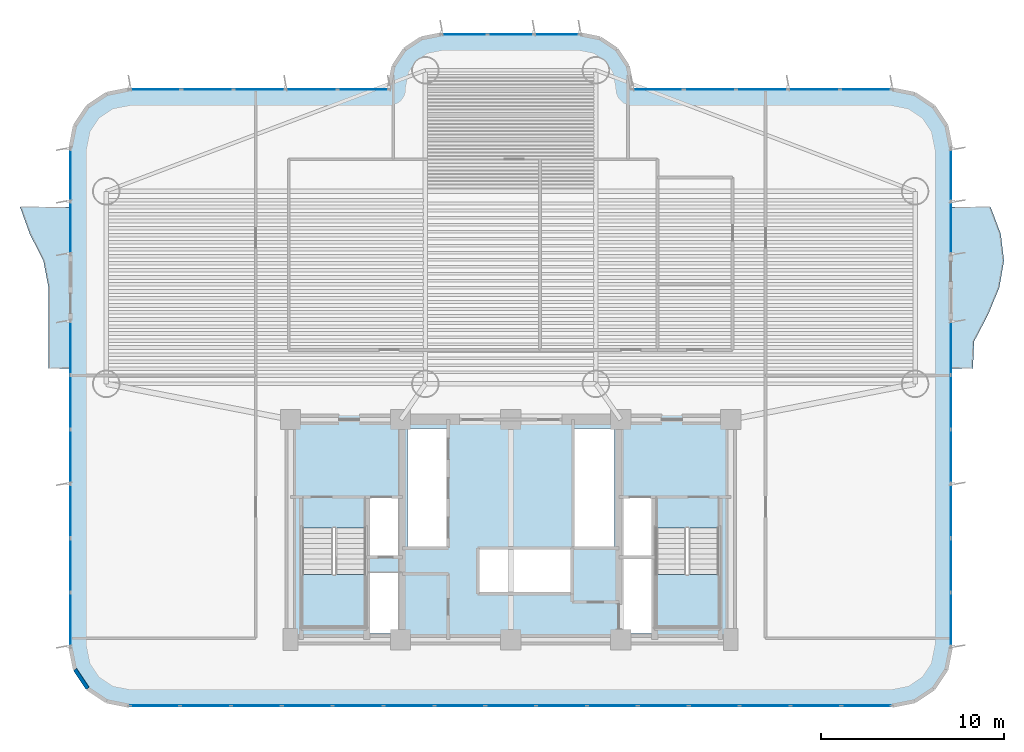
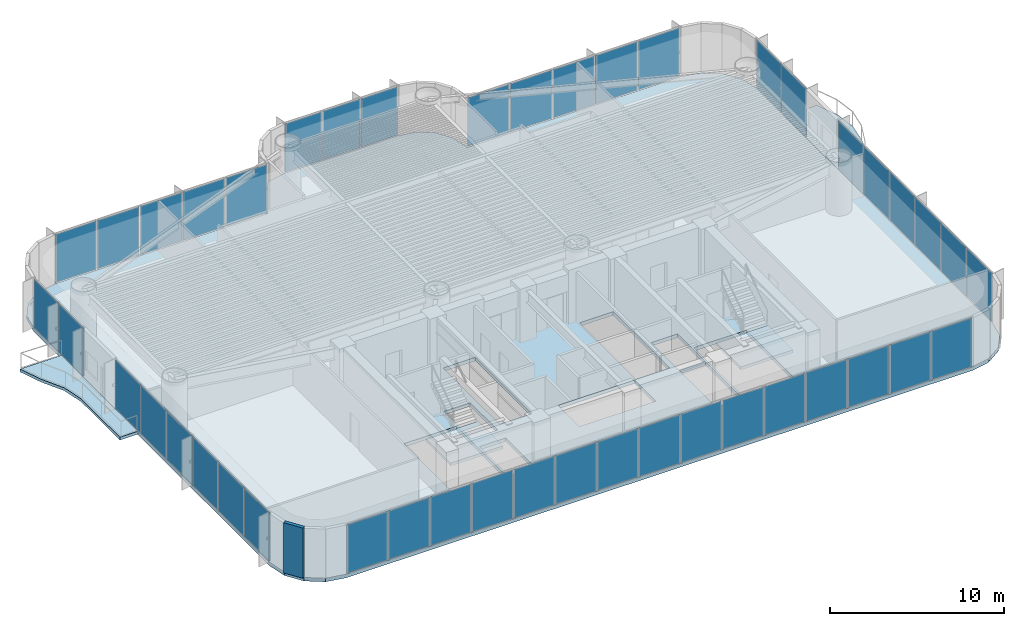
# One storey, part 9 of 16: 44 plates, 5 slabs, 1 wall, 10 elements without a shape of their own.
"""IFC4 building model written with IfcOpenShell, lengths in metres."""

from ifc_helpers import new_model, si_unit, direction, frame, frame_2d, origin, origin_2d, place, context, subcontext, project, spatial, polyline, rectangle, outline, extrude, source, transform, mapped, material, layer, layer_set, type_object, element, aggregate, save


model = new_model("IFC4")

# Units and contexts
model_context = context("Model", 3, precision=1e-05, world=origin(), true_north=direction((0.0, 1.0)))
body_context = subcontext(model_context, "Body", "Model", "MODEL_VIEW")
ifc_project = project(units=[si_unit("LENGTHUNIT", "METRE"), si_unit("AREAUNIT", "SQUARE_METRE"), si_unit("VOLUMEUNIT", "CUBIC_METRE"), si_unit("PLANEANGLEUNIT", "RADIAN"), si_unit("MASSUNIT", "GRAM", prefix="KILO")], contexts=[model_context])

# Site, building, storey
site_placement = place(None, origin())
site = spatial("IfcSite", under=ifc_project, at=site_placement, CompositionType="ELEMENT")
building_placement = place(site_placement, origin())
building = spatial("IfcBuilding", under=site, at=building_placement, Name="Brelvock Crest Care Tower", CompositionType="ELEMENT")
storey_placement = place(building_placement, frame((0.0, 0.0, 57.239990234375)))
storey = spatial("IfcBuildingStorey", under=building, at=storey_placement, Name="L14", CompositionType="ELEMENT", Elevation=57.239990234375)

# Slabs
ifc_material_1 = material(Name="Concrete N50 (50 MPa)", Category="concrete")
ifc_layer_1 = layer(ifc_material_1, 0.25, Name="SLB-FL3")
ifc_layer_set_1 = layer_set([ifc_layer_1], Name="Concrete N50 (50 MPa)")
slab_type_1 = type_object("IfcSlabType", Name="SLB-FL3", PredefinedType="FLOOR", material=ifc_layer_set_1)
slab_1_placement = place(storey_placement, frame((0.0, 0.0, -0.25)))
element("IfcSlab", 1, at=slab_1_placement, inside=storey, type_object=slab_type_1, Name="L14 Main Structural Slab", PredefinedType="FLOOR", context=body_context, shape_type="SweptSolid", body=[
    extrude(outline(polyline([(56.800048828125, 36.0), (42.60009765625, 36.0), (42.60009765625, 36.199951171875), (42.386962890625, 37.271484375), (41.77978515625, 38.179931640625), (40.87158203125, 38.786865234375), (39.800048828125, 39.0), (32.199951171875, 39.0), (31.12841796875, 38.786865234375), (30.22021484375, 38.179931640625), (29.613037109375, 37.271484375), (29.39990234375, 36.199951171875), (29.39990234375, 36.0), (15.199951171875, 36.0), (13.975341796875, 35.75634765625), (12.937255859375, 35.062744140625), (12.24365234375, 34.024658203125), (12.0, 32.800048828125), (12.0, 5.60009765625), (12.24365234375, 4.37548828125), (12.937255859375, 3.33740234375), (13.975341796875, 2.6435546875), (15.199951171875, 2.39990234375), (56.800048828125, 2.39990234375), (58.024658203125, 2.6435546875), (59.062744140625, 3.33740234375), (59.75634765625, 4.37548828125), (60.0, 5.60009765625), (60.0, 32.800048828125), (59.75634765625, 34.024658203125), (59.062744140625, 35.062744140625), (58.024658203125, 35.75634765625), (56.800048828125, 36.0)]), holes=[polyline([(28.239990234375, 10.580078125), (29.97998046875, 10.580078125), (29.97998046875, 13.739990234375), (28.239990234375, 13.739990234375), (28.239990234375, 10.580078125)]), polyline([(42.02001953125, 10.580078125), (43.760009765625, 10.580078125), (43.760009765625, 13.739990234375), (42.02001953125, 13.739990234375), (42.02001953125, 10.580078125)]), polyline([(28.239990234375, 6.340087890625), (29.97998046875, 6.340087890625), (29.97998046875, 9.64990234375), (28.239990234375, 9.64990234375), (28.239990234375, 6.340087890625)]), polyline([(24.6298828125, 12.080078125), (24.6298828125, 6.699951171875), (28.110107421875, 6.699951171875), (28.110107421875, 12.080078125), (24.6298828125, 12.080078125)]), polyline([(43.889892578125, 12.080078125), (43.889892578125, 6.699951171875), (47.3701171875, 6.699951171875), (47.3701171875, 12.080078125), (43.889892578125, 12.080078125)]), polyline([(42.02001953125, 6.340087890625), (43.760009765625, 6.340087890625), (43.760009765625, 10.5), (42.02001953125, 10.5), (42.02001953125, 6.340087890625)]), polyline([(30.3798828125, 11.030029296875), (32.52001953125, 11.030029296875), (32.52001953125, 17.52001953125), (30.3798828125, 17.52001953125), (30.3798828125, 11.030029296875)]), polyline([(34.22998046875, 8.530029296875), (39.320068359375, 8.530029296875), (39.320068359375, 10.969970703125), (34.22998046875, 10.969970703125), (34.22998046875, 8.530029296875)]), polyline([(39.429931640625, 11.030029296875), (41.669921875, 11.030029296875), (41.669921875, 17.52001953125), (39.429931640625, 17.52001953125), (39.429931640625, 11.030029296875)])]), origin(), (0.0, 0.0, 1.0), 0.25),
])
ifc_layer_2 = layer(ifc_material_1, 0.199951171875, Name="SLB-WB2")
ifc_layer_set_2 = layer_set([ifc_layer_2], Name="Concrete N50 (50 MPa)")
slab_type_2 = type_object("IfcSlabType", Name="SLB-WB2", PredefinedType="FLOOR", material=ifc_layer_set_2)
slab_2_placement = place(storey_placement, frame((0.0, 0.0, -0.199951171875)))
element("IfcSlab", 2, at=slab_2_placement, inside=storey, type_object=slab_type_2, Name="L14 W Sinusoidal Wave Balcony Slab", PredefinedType="FLOOR", context=body_context, shape_type="SweptSolid", body=[
    extrude(outline(polyline([(12.0, 29.60009765625), (9.2470703125, 29.60009765625), (9.77490234375, 28.13330078125), (10.520751953125, 26.666748046875), (10.800048828125, 25.199951171875), (10.800048828125, 23.7333984375), (10.800048828125, 22.2666015625), (10.800048828125, 20.800048828125), (12.0, 20.800048828125), (12.0, 29.60009765625)])), origin(), (0.0, 0.0, 1.0), 0.199951171875),
])
slab_3_placement = place(storey_placement, frame((0.0, 0.0, -0.199951171875)))
element("IfcSlab", 3, at=slab_3_placement, inside=storey, type_object=slab_type_2, Name="L14 E Sinusoidal Wave Balcony Slab", PredefinedType="FLOOR", context=body_context, shape_type="SweptSolid", body=[
    extrude(outline(polyline([(60.0, 20.800048828125), (61.199951171875, 20.800048828125), (61.269287109375, 22.2666015625), (62.03369140625, 23.7333984375), (62.64208984375, 25.199951171875), (62.898193359375, 26.666748046875), (62.718994140625, 28.13330078125), (62.162841796875, 29.60009765625), (60.0, 29.60009765625), (60.0, 20.800048828125)])), origin(), (0.0, 0.0, 1.0), 0.199951171875),
])

# Stair, slab
ifc_material_2 = material(Name="Concrete N40 (40 MPa)", Category="concrete")
stair_type = type_object("IfcStairType", Name="ST-CORE1", PredefinedType="HALF_TURN_STAIR", material=ifc_material_2)
stair_1_placement = place(storey_placement, origin())
stair_1 = element("IfcStair", 4, at=stair_1_placement, inside=storey, type_object=stair_type, Name="L14 Fire-Isolated Core Stair ST-1", PredefinedType="HALF_TURN_STAIR")
ifc_layer_3 = layer(ifc_material_2, 0.199951171875, Name="STL-1")
ifc_layer_set_3 = layer_set([ifc_layer_3], Name="Concrete N40 (40 MPa)")
slab_type_3 = type_object("IfcSlabType", Name="STL-1", PredefinedType="LANDING", material=ifc_layer_set_3)
slab_4_placement = place(storey_placement, frame((0.0, 0.0, 1.68994140625)))
slab_4 = element("IfcSlab", 5, at=slab_4_placement, type_object=slab_type_3, Name="ST-1 landing 1", PredefinedType="LANDING", context=body_context, shape_type="SweptSolid", body=[
    extrude(outline(polyline([(24.6298828125, 9.56005859375), (24.6298828125, 6.699951171875), (28.110107421875, 6.699951171875), (28.110107421875, 9.56005859375), (24.6298828125, 9.56005859375)])), origin(), (0.0, 0.0, 1.0), 0.199951171875),
])
aggregate(stair_1, [slab_4])

stair_2_placement = place(storey_placement, origin())
stair_2 = element("IfcStair", 6, at=stair_2_placement, inside=storey, type_object=stair_type, Name="L14 Fire-Isolated Core Stair ST-2", PredefinedType="HALF_TURN_STAIR")
slab_5_placement = place(storey_placement, frame((0.0, 0.0, 1.68994140625)))
slab_5 = element("IfcSlab", 7, at=slab_5_placement, type_object=slab_type_3, Name="ST-2 landing 1", PredefinedType="LANDING", context=body_context, shape_type="SweptSolid", body=[
    extrude(outline(polyline([(43.889892578125, 9.56005859375), (43.889892578125, 6.699951171875), (47.3701171875, 6.699951171875), (47.3701171875, 9.56005859375), (43.889892578125, 9.56005859375)])), origin(), (0.0, 0.0, 1.0), 0.199951171875),
])
aggregate(stair_2, [slab_5])

# Curtain wall, plates
ifc_material_3 = material(Name="Dark Glass Double Glazed Low-E", Category="glass")
ifc_layer_4 = layer(ifc_material_3, 0.195068359375, Name="CWS-2")
ifc_layer_set_4 = layer_set([ifc_layer_4], Name="Dark Glass Double Glazed Low-E")
curtain_wall_type = type_object("IfcCurtainWallType", Name="CWS-2", PredefinedType="NOTDEFINED", material=ifc_layer_set_4)
curtain_wall_1_placement = place(storey_placement, origin())
curtain_wall_1 = element("IfcCurtainWall", 8, at=curtain_wall_1_placement, inside=storey, type_object=curtain_wall_type, Name="L14 Curtain Wall E08", PredefinedType="NOTDEFINED")
ifc_layer_5 = layer(ifc_material_3, 0.031982421875, Name="CWP-V1")
ifc_layer_set_5 = layer_set([ifc_layer_5], Name="Dark Glass Double Glazed Low-E")
plate_type = type_object("IfcPlateType", Name="CWP-V1", PredefinedType="CURTAIN_PANEL", material=ifc_layer_set_5)
shared_shape_1 = source(origin(), body_context, "Body", "SweptSolid", [
    extrude(rectangle(XDim=2.67578125, YDim=0.035888671875, at=origin_2d()), origin(), (0.0, 0.0, 1.0), 3.39990234375),
])
plate_1_placement = place(storey_placement, frame((55.39697265625, 2.39990234375, 0.06494140625), z_axis=(0.0, 0.0, 1.0), x_axis=(-1.0, 0.0, 0.0)))
plate_1 = element("IfcPlate", 9, at=plate_1_placement, type_object=plate_type, Name="CW-2 panel 1.1", PredefinedType="CURTAIN_PANEL", context=body_context, shape_type="MappedRepresentation", body=[
    mapped(shared_shape_1, transform((0.0, 0.0, 0.0), x_axis=(1.0, 0.0, 0.0), y_axis=(0.0, 1.0, 0.0), z_axis=(0.0, 0.0, 1.0), scale=1.0)),
])
plate_2_placement = place(storey_placement, frame((16.60302734375, 2.39990234375, 0.06494140625), z_axis=(0.0, 0.0, 1.0), x_axis=(-1.0, 0.0, 0.0)))
plate_2 = element("IfcPlate", 10, at=plate_2_placement, type_object=plate_type, Name="CW-2 panel 15.1", PredefinedType="CURTAIN_PANEL", context=body_context, shape_type="MappedRepresentation", body=[
    mapped(shared_shape_1, transform((0.0, 0.0, 0.0), x_axis=(1.0, 0.0, 0.0), y_axis=(0.0, 1.0, 0.0), z_axis=(0.0, 0.0, 1.0), scale=1.0)),
])
shared_shape_2 = source(origin(), body_context, "Body", "SweptSolid", [
    extrude(rectangle(XDim=2.708251953125, YDim=0.035888671875, at=origin_2d()), origin(), (0.0, 0.0, 1.0), 3.39990234375),
])
plate_3_placement = place(storey_placement, frame((52.639892578125, 2.39990234375, 0.06494140625), z_axis=(0.0, 0.0, 1.0), x_axis=(-1.0, 0.0, 0.0)))
plate_3 = element("IfcPlate", 11, at=plate_3_placement, type_object=plate_type, Name="CW-2 panel 2.1", PredefinedType="CURTAIN_PANEL", context=body_context, shape_type="MappedRepresentation", body=[
    mapped(shared_shape_2, transform((0.0, 0.0, 0.0), x_axis=(1.0, 0.0, 0.0), y_axis=(0.0, 1.0, 0.0), z_axis=(0.0, 0.0, 1.0), scale=1.0)),
])
plate_4_placement = place(storey_placement, frame((49.86669921875, 2.39990234375, 0.06494140625), z_axis=(0.0, 0.0, 1.0), x_axis=(-1.0, 0.0, 0.0)))
plate_4 = element("IfcPlate", 12, at=plate_4_placement, type_object=plate_type, Name="CW-2 panel 3.1", PredefinedType="CURTAIN_PANEL", context=body_context, shape_type="MappedRepresentation", body=[
    mapped(shared_shape_2, transform((0.0, 0.0, 0.0), x_axis=(1.0, 0.0, 0.0), y_axis=(0.0, 1.0, 0.0), z_axis=(0.0, 0.0, 1.0), scale=1.0)),
])
plate_5_placement = place(storey_placement, frame((47.09326171875, 2.39990234375, 0.06494140625), z_axis=(0.0, 0.0, 1.0), x_axis=(-1.0, 0.0, 0.0)))
plate_5 = element("IfcPlate", 13, at=plate_5_placement, type_object=plate_type, Name="CW-2 panel 4.1", PredefinedType="CURTAIN_PANEL", context=body_context, shape_type="MappedRepresentation", body=[
    mapped(shared_shape_2, transform((0.0, 0.0, 0.0), x_axis=(1.0, 0.0, 0.0), y_axis=(0.0, 1.0, 0.0), z_axis=(0.0, 0.0, 1.0), scale=1.0)),
])
plate_6_placement = place(storey_placement, frame((44.320068359375, 2.39990234375, 0.06494140625), z_axis=(0.0, 0.0, 1.0), x_axis=(-1.0, 0.0, 0.0)))
plate_6 = element("IfcPlate", 14, at=plate_6_placement, type_object=plate_type, Name="CW-2 panel 5.1", PredefinedType="CURTAIN_PANEL", context=body_context, shape_type="MappedRepresentation", body=[
    mapped(shared_shape_2, transform((0.0, 0.0, 0.0), x_axis=(1.0, 0.0, 0.0), y_axis=(0.0, 1.0, 0.0), z_axis=(0.0, 0.0, 1.0), scale=1.0)),
])
plate_7_placement = place(storey_placement, frame((41.546630859375, 2.39990234375, 0.06494140625), z_axis=(0.0, 0.0, 1.0), x_axis=(-1.0, 0.0, 0.0)))
plate_7 = element("IfcPlate", 15, at=plate_7_placement, type_object=plate_type, Name="CW-2 panel 6.1", PredefinedType="CURTAIN_PANEL", context=body_context, shape_type="MappedRepresentation", body=[
    mapped(shared_shape_2, transform((0.0, 0.0, 0.0), x_axis=(1.0, 0.0, 0.0), y_axis=(0.0, 1.0, 0.0), z_axis=(0.0, 0.0, 1.0), scale=1.0)),
])
plate_8_placement = place(storey_placement, frame((38.7734375, 2.39990234375, 0.06494140625), z_axis=(0.0, 0.0, 1.0), x_axis=(-1.0, 0.0, 0.0)))
plate_8 = element("IfcPlate", 16, at=plate_8_placement, type_object=plate_type, Name="CW-2 panel 7.1", PredefinedType="CURTAIN_PANEL", context=body_context, shape_type="MappedRepresentation", body=[
    mapped(shared_shape_2, transform((0.0, 0.0, 0.0), x_axis=(1.0, 0.0, 0.0), y_axis=(0.0, 1.0, 0.0), z_axis=(0.0, 0.0, 1.0), scale=1.0)),
])
plate_9_placement = place(storey_placement, frame((36.0, 2.39990234375, 0.06494140625), z_axis=(0.0, 0.0, 1.0), x_axis=(-1.0, 0.0, 0.0)))
plate_9 = element("IfcPlate", 17, at=plate_9_placement, type_object=plate_type, Name="CW-2 panel 8.1", PredefinedType="CURTAIN_PANEL", context=body_context, shape_type="MappedRepresentation", body=[
    mapped(shared_shape_2, transform((0.0, 0.0, 0.0), x_axis=(1.0, 0.0, 0.0), y_axis=(0.0, 1.0, 0.0), z_axis=(0.0, 0.0, 1.0), scale=1.0)),
])
plate_10_placement = place(storey_placement, frame((33.2265625, 2.39990234375, 0.06494140625), z_axis=(0.0, 0.0, 1.0), x_axis=(-1.0, 0.0, 0.0)))
plate_10 = element("IfcPlate", 18, at=plate_10_placement, type_object=plate_type, Name="CW-2 panel 9.1", PredefinedType="CURTAIN_PANEL", context=body_context, shape_type="MappedRepresentation", body=[
    mapped(shared_shape_2, transform((0.0, 0.0, 0.0), x_axis=(1.0, 0.0, 0.0), y_axis=(0.0, 1.0, 0.0), z_axis=(0.0, 0.0, 1.0), scale=1.0)),
])
plate_11_placement = place(storey_placement, frame((30.453369140625, 2.39990234375, 0.06494140625), z_axis=(0.0, 0.0, 1.0), x_axis=(-1.0, 0.0, 0.0)))
plate_11 = element("IfcPlate", 19, at=plate_11_placement, type_object=plate_type, Name="CW-2 panel 10.1", PredefinedType="CURTAIN_PANEL", context=body_context, shape_type="MappedRepresentation", body=[
    mapped(shared_shape_2, transform((0.0, 0.0, 0.0), x_axis=(1.0, 0.0, 0.0), y_axis=(0.0, 1.0, 0.0), z_axis=(0.0, 0.0, 1.0), scale=1.0)),
])
plate_12_placement = place(storey_placement, frame((27.679931640625, 2.39990234375, 0.06494140625), z_axis=(0.0, 0.0, 1.0), x_axis=(-1.0, 0.0, 0.0)))
plate_12 = element("IfcPlate", 20, at=plate_12_placement, type_object=plate_type, Name="CW-2 panel 11.1", PredefinedType="CURTAIN_PANEL", context=body_context, shape_type="MappedRepresentation", body=[
    mapped(shared_shape_2, transform((0.0, 0.0, 0.0), x_axis=(1.0, 0.0, 0.0), y_axis=(0.0, 1.0, 0.0), z_axis=(0.0, 0.0, 1.0), scale=1.0)),
])
plate_13_placement = place(storey_placement, frame((24.90673828125, 2.39990234375, 0.06494140625), z_axis=(0.0, 0.0, 1.0), x_axis=(-1.0, 0.0, 0.0)))
plate_13 = element("IfcPlate", 21, at=plate_13_placement, type_object=plate_type, Name="CW-2 panel 12.1", PredefinedType="CURTAIN_PANEL", context=body_context, shape_type="MappedRepresentation", body=[
    mapped(shared_shape_2, transform((0.0, 0.0, 0.0), x_axis=(1.0, 0.0, 0.0), y_axis=(0.0, 1.0, 0.0), z_axis=(0.0, 0.0, 1.0), scale=1.0)),
])
plate_14_placement = place(storey_placement, frame((22.13330078125, 2.39990234375, 0.06494140625), z_axis=(0.0, 0.0, 1.0), x_axis=(-1.0, 0.0, 0.0)))
plate_14 = element("IfcPlate", 22, at=plate_14_placement, type_object=plate_type, Name="CW-2 panel 13.1", PredefinedType="CURTAIN_PANEL", context=body_context, shape_type="MappedRepresentation", body=[
    mapped(shared_shape_2, transform((0.0, 0.0, 0.0), x_axis=(1.0, 0.0, 0.0), y_axis=(0.0, 1.0, 0.0), z_axis=(0.0, 0.0, 1.0), scale=1.0)),
])
plate_15_placement = place(storey_placement, frame((19.360107421875, 2.39990234375, 0.06494140625), z_axis=(0.0, 0.0, 1.0), x_axis=(-1.0, 0.0, 0.0)))
plate_15 = element("IfcPlate", 23, at=plate_15_placement, type_object=plate_type, Name="CW-2 panel 14.1", PredefinedType="CURTAIN_PANEL", context=body_context, shape_type="MappedRepresentation", body=[
    mapped(shared_shape_2, transform((0.0, 0.0, 0.0), x_axis=(1.0, 0.0, 0.0), y_axis=(0.0, 1.0, 0.0), z_axis=(0.0, 0.0, 1.0), scale=1.0)),
])
aggregate(curtain_wall_1, [plate_1, plate_3, plate_4, plate_5, plate_6, plate_7, plate_8, plate_9, plate_10, plate_11, plate_12, plate_13, plate_14, plate_15, plate_2])

curtain_wall_2_placement = place(storey_placement, origin())
curtain_wall_2 = element("IfcCurtainWall", 24, at=curtain_wall_2_placement, inside=storey, type_object=curtain_wall_type, Name="L14 Curtain Wall E18", PredefinedType="NOTDEFINED")
shared_shape_3 = source(origin(), body_context, "Body", "SweptSolid", [
    extrude(rectangle(XDim=2.742431640625, YDim=0.035888671875, at=origin_2d()), origin(), (0.0, 0.0, 1.0), 3.39990234375),
])
plate_16_placement = place(storey_placement, frame((16.63623046875, 36.0, 0.06494140625), z_axis=(0.0, 0.0, 1.0), x_axis=(1.0, 0.0, 0.0)))
plate_16 = element("IfcPlate", 25, at=plate_16_placement, type_object=plate_type, Name="CW-2 panel 1.1", PredefinedType="CURTAIN_PANEL", context=body_context, shape_type="MappedRepresentation", body=[
    mapped(shared_shape_3, transform((0.0, 0.0, 0.0), x_axis=(1.0, 0.0, 0.0), y_axis=(0.0, 1.0, 0.0), z_axis=(0.0, 0.0, 1.0), scale=1.0)),
])
plate_17_placement = place(storey_placement, frame((27.9638671875, 36.0, 0.06494140625), z_axis=(0.0, 0.0, 1.0), x_axis=(1.0, 0.0, 0.0)))
plate_17 = element("IfcPlate", 26, at=plate_17_placement, type_object=plate_type, Name="CW-2 panel 5.1", PredefinedType="CURTAIN_PANEL", context=body_context, shape_type="MappedRepresentation", body=[
    mapped(shared_shape_3, transform((0.0, 0.0, 0.0), x_axis=(1.0, 0.0, 0.0), y_axis=(0.0, 1.0, 0.0), z_axis=(0.0, 0.0, 1.0), scale=1.0)),
])

curtain_wall_3_placement = place(storey_placement, origin())
curtain_wall_3 = element("IfcCurtainWall", 27, at=curtain_wall_3_placement, inside=storey, type_object=curtain_wall_type, Name="L14 Curtain Wall E30", PredefinedType="NOTDEFINED")
plate_18_placement = place(storey_placement, frame((44.0361328125, 36.0, 0.06494140625), z_axis=(0.0, 0.0, 1.0), x_axis=(1.0, 0.0, 0.0)))
plate_18 = element("IfcPlate", 28, at=plate_18_placement, type_object=plate_type, Name="CW-2 panel 1.1", PredefinedType="CURTAIN_PANEL", context=body_context, shape_type="MappedRepresentation", body=[
    mapped(shared_shape_3, transform((0.0, 0.0, 0.0), x_axis=(1.0, 0.0, 0.0), y_axis=(0.0, 1.0, 0.0), z_axis=(0.0, 0.0, 1.0), scale=1.0)),
])
plate_19_placement = place(storey_placement, frame((55.36376953125, 36.0, 0.06494140625), z_axis=(0.0, 0.0, 1.0), x_axis=(1.0, 0.0, 0.0)))
plate_19 = element("IfcPlate", 29, at=plate_19_placement, type_object=plate_type, Name="CW-2 panel 5.1", PredefinedType="CURTAIN_PANEL", context=body_context, shape_type="MappedRepresentation", body=[
    mapped(shared_shape_3, transform((0.0, 0.0, 0.0), x_axis=(1.0, 0.0, 0.0), y_axis=(0.0, 1.0, 0.0), z_axis=(0.0, 0.0, 1.0), scale=1.0)),
])

# Plate
shared_shape_4 = source(origin(), body_context, "Body", "SweptSolid", [
    extrude(rectangle(XDim=2.77490234375, YDim=0.035888671875, at=origin_2d()), origin(), (0.0, 0.0, 1.0), 3.39990234375),
])
plate_20_placement = place(storey_placement, frame((19.4599609375, 36.0, 0.06494140625), z_axis=(0.0, 0.0, 1.0), x_axis=(1.0, 0.0, 0.0)))
plate_20 = element("IfcPlate", 30, at=plate_20_placement, type_object=plate_type, Name="CW-2 panel 2.1", PredefinedType="CURTAIN_PANEL", context=body_context, shape_type="MappedRepresentation", body=[
    mapped(shared_shape_4, transform((0.0, 0.0, 0.0), x_axis=(1.0, 0.0, 0.0), y_axis=(0.0, 1.0, 0.0), z_axis=(0.0, 0.0, 1.0), scale=1.0)),
])

plate_21_placement = place(storey_placement, frame((22.300048828125, 36.0, 0.06494140625), z_axis=(0.0, 0.0, 1.0), x_axis=(1.0, 0.0, 0.0)))
plate_21 = element("IfcPlate", 31, at=plate_21_placement, type_object=plate_type, Name="CW-2 panel 3.1", PredefinedType="CURTAIN_PANEL", context=body_context, shape_type="MappedRepresentation", body=[
    mapped(shared_shape_4, transform((0.0, 0.0, 0.0), x_axis=(1.0, 0.0, 0.0), y_axis=(0.0, 1.0, 0.0), z_axis=(0.0, 0.0, 1.0), scale=1.0)),
])

plate_22_placement = place(storey_placement, frame((25.139892578125, 36.0, 0.06494140625), z_axis=(0.0, 0.0, 1.0), x_axis=(1.0, 0.0, 0.0)))
plate_22 = element("IfcPlate", 32, at=plate_22_placement, type_object=plate_type, Name="CW-2 panel 4.1", PredefinedType="CURTAIN_PANEL", context=body_context, shape_type="MappedRepresentation", body=[
    mapped(shared_shape_4, transform((0.0, 0.0, 0.0), x_axis=(1.0, 0.0, 0.0), y_axis=(0.0, 1.0, 0.0), z_axis=(0.0, 0.0, 1.0), scale=1.0)),
])

aggregate(curtain_wall_2, [plate_16, plate_20, plate_21, plate_22, plate_17])

plate_23_placement = place(storey_placement, frame((46.860107421875, 36.0, 0.06494140625), z_axis=(0.0, 0.0, 1.0), x_axis=(1.0, 0.0, 0.0)))
plate_23 = element("IfcPlate", 33, at=plate_23_placement, type_object=plate_type, Name="CW-2 panel 2.1", PredefinedType="CURTAIN_PANEL", context=body_context, shape_type="MappedRepresentation", body=[
    mapped(shared_shape_4, transform((0.0, 0.0, 0.0), x_axis=(1.0, 0.0, 0.0), y_axis=(0.0, 1.0, 0.0), z_axis=(0.0, 0.0, 1.0), scale=1.0)),
])

plate_24_placement = place(storey_placement, frame((49.699951171875, 36.0, 0.06494140625), z_axis=(0.0, 0.0, 1.0), x_axis=(1.0, 0.0, 0.0)))
plate_24 = element("IfcPlate", 34, at=plate_24_placement, type_object=plate_type, Name="CW-2 panel 3.1", PredefinedType="CURTAIN_PANEL", context=body_context, shape_type="MappedRepresentation", body=[
    mapped(shared_shape_4, transform((0.0, 0.0, 0.0), x_axis=(1.0, 0.0, 0.0), y_axis=(0.0, 1.0, 0.0), z_axis=(0.0, 0.0, 1.0), scale=1.0)),
])

plate_25_placement = place(storey_placement, frame((52.5400390625, 36.0, 0.06494140625), z_axis=(0.0, 0.0, 1.0), x_axis=(1.0, 0.0, 0.0)))
plate_25 = element("IfcPlate", 35, at=plate_25_placement, type_object=plate_type, Name="CW-2 panel 4.1", PredefinedType="CURTAIN_PANEL", context=body_context, shape_type="MappedRepresentation", body=[
    mapped(shared_shape_4, transform((0.0, 0.0, 0.0), x_axis=(1.0, 0.0, 0.0), y_axis=(0.0, 1.0, 0.0), z_axis=(0.0, 0.0, 1.0), scale=1.0)),
])

aggregate(curtain_wall_3, [plate_18, plate_23, plate_24, plate_25, plate_19])

# Curtain wall, plates
curtain_wall_4_placement = place(storey_placement, origin())
curtain_wall_4 = element("IfcCurtainWall", 36, at=curtain_wall_4_placement, inside=storey, type_object=curtain_wall_type, Name="L14 Curtain Wall E24", PredefinedType="NOTDEFINED")
shared_shape_5 = source(origin(), body_context, "Body", "SweptSolid", [
    extrude(rectangle(XDim=2.435791015625, YDim=0.035888671875, at=origin_2d()), origin(), (0.0, 0.0, 1.0), 3.39990234375),
])
plate_26_placement = place(storey_placement, frame((33.48291015625, 39.0, 0.06494140625), z_axis=(0.0, 0.0, 1.0), x_axis=(1.0, 0.0, 0.0)))
plate_26 = element("IfcPlate", 37, at=plate_26_placement, type_object=plate_type, Name="CW-2 panel 1.1", PredefinedType="CURTAIN_PANEL", context=body_context, shape_type="MappedRepresentation", body=[
    mapped(shared_shape_5, transform((0.0, 0.0, 0.0), x_axis=(1.0, 0.0, 0.0), y_axis=(0.0, 1.0, 0.0), z_axis=(0.0, 0.0, 1.0), scale=1.0)),
])
plate_27_placement = place(storey_placement, frame((38.51708984375, 39.0, 0.06494140625), z_axis=(0.0, 0.0, 1.0), x_axis=(1.0, 0.0, 0.0)))
plate_27 = element("IfcPlate", 38, at=plate_27_placement, type_object=plate_type, Name="CW-2 panel 3.1", PredefinedType="CURTAIN_PANEL", context=body_context, shape_type="MappedRepresentation", body=[
    mapped(shared_shape_5, transform((0.0, 0.0, 0.0), x_axis=(1.0, 0.0, 0.0), y_axis=(0.0, 1.0, 0.0), z_axis=(0.0, 0.0, 1.0), scale=1.0)),
])
shared_shape_6 = source(origin(), body_context, "Body", "SweptSolid", [
    extrude(rectangle(XDim=2.46826171875, YDim=0.035888671875, at=origin_2d()), origin(), (0.0, 0.0, 1.0), 3.39990234375),
])
plate_28_placement = place(storey_placement, frame((36.0, 39.0, 0.06494140625), z_axis=(0.0, 0.0, 1.0), x_axis=(1.0, 0.0, 0.0)))
plate_28 = element("IfcPlate", 39, at=plate_28_placement, type_object=plate_type, Name="CW-2 panel 2.1", PredefinedType="CURTAIN_PANEL", context=body_context, shape_type="MappedRepresentation", body=[
    mapped(shared_shape_6, transform((0.0, 0.0, 0.0), x_axis=(1.0, 0.0, 0.0), y_axis=(0.0, 1.0, 0.0), z_axis=(0.0, 0.0, 1.0), scale=1.0)),
])
aggregate(curtain_wall_4, [plate_26, plate_28, plate_27])

curtain_wall_5_placement = place(storey_placement, origin())
curtain_wall_5 = element("IfcCurtainWall", 40, at=curtain_wall_5_placement, inside=storey, type_object=curtain_wall_type, Name="L14 Curtain Wall E03A", PredefinedType="NOTDEFINED")
shared_shape_7 = source(origin(), body_context, "Body", "SweptSolid", [
    extrude(rectangle(XDim=2.802490234375, YDim=0.035888671875, at=origin_2d()), origin(), (0.0, 0.0, 1.0), 3.39990234375),
])
plate_29_placement = place(storey_placement, frame((60.0, 31.333740234375, 0.06494140625), z_axis=(0.0, 0.0, 1.0), x_axis=(0.0, -1.0, 0.0)))
plate_29 = element("IfcPlate", 41, at=plate_29_placement, type_object=plate_type, Name="CW-2 panel 1.1", PredefinedType="CURTAIN_PANEL", context=body_context, shape_type="MappedRepresentation", body=[
    mapped(shared_shape_7, transform((0.0, 0.0, 0.0), x_axis=(1.0, 0.0, 0.0), y_axis=(0.0, 1.0, 0.0), z_axis=(0.0, 0.0, 1.0), scale=1.0)),
])
plate_30_placement = place(storey_placement, frame((60.0, 28.46630859375, 0.06494140625), z_axis=(0.0, 0.0, 1.0), x_axis=(0.0, -1.0, 0.0)))
plate_30 = element("IfcPlate", 42, at=plate_30_placement, type_object=plate_type, Name="CW-2 panel 2.1", PredefinedType="CURTAIN_PANEL", context=body_context, shape_type="MappedRepresentation", body=[
    mapped(shared_shape_7, transform((0.0, 0.0, 0.0), x_axis=(1.0, 0.0, 0.0), y_axis=(0.0, 1.0, 0.0), z_axis=(0.0, 0.0, 1.0), scale=1.0)),
])
aggregate(curtain_wall_5, [plate_29, plate_30])

curtain_wall_6_placement = place(storey_placement, origin())
curtain_wall_6 = element("IfcCurtainWall", 43, at=curtain_wall_6_placement, inside=storey, type_object=curtain_wall_type, Name="L14 Curtain Wall E13B", PredefinedType="NOTDEFINED")
plate_31_placement = place(storey_placement, frame((12.0, 28.46630859375, 0.06494140625), z_axis=(0.0, 0.0, 1.0), x_axis=(0.0, 1.0, 0.0)))
plate_31 = element("IfcPlate", 44, at=plate_31_placement, type_object=plate_type, Name="CW-2 panel 1.1", PredefinedType="CURTAIN_PANEL", context=body_context, shape_type="MappedRepresentation", body=[
    mapped(shared_shape_7, transform((0.0, 0.0, 0.0), x_axis=(1.0, 0.0, 0.0), y_axis=(0.0, 1.0, 0.0), z_axis=(0.0, 0.0, 1.0), scale=1.0)),
])
plate_32_placement = place(storey_placement, frame((12.0, 31.333740234375, 0.06494140625), z_axis=(0.0, 0.0, 1.0), x_axis=(0.0, 1.0, 0.0)))
plate_32 = element("IfcPlate", 45, at=plate_32_placement, type_object=plate_type, Name="CW-2 panel 2.1", PredefinedType="CURTAIN_PANEL", context=body_context, shape_type="MappedRepresentation", body=[
    mapped(shared_shape_7, transform((0.0, 0.0, 0.0), x_axis=(1.0, 0.0, 0.0), y_axis=(0.0, 1.0, 0.0), z_axis=(0.0, 0.0, 1.0), scale=1.0)),
])
aggregate(curtain_wall_6, [plate_31, plate_32])

curtain_wall_7_placement = place(storey_placement, origin())
curtain_wall_7 = element("IfcCurtainWall", 46, at=curtain_wall_7_placement, inside=storey, type_object=curtain_wall_type, Name="L14 Curtain Wall E03B", PredefinedType="NOTDEFINED")
shared_shape_8 = source(origin(), body_context, "Body", "SweptSolid", [
    extrude(rectangle(XDim=2.869140625, YDim=0.035888671875, at=origin_2d()), origin(), (0.0, 0.0, 1.0), 3.39990234375),
])
plate_33_placement = place(storey_placement, frame((60.0, 21.900390625, 0.06494140625), z_axis=(0.0, 0.0, 1.0), x_axis=(0.0, -1.0, 0.0)))
plate_33 = element("IfcPlate", 47, at=plate_33_placement, type_object=plate_type, Name="CW-2 panel 1.1", PredefinedType="CURTAIN_PANEL", context=body_context, shape_type="MappedRepresentation", body=[
    mapped(shared_shape_8, transform((0.0, 0.0, 0.0), x_axis=(1.0, 0.0, 0.0), y_axis=(0.0, 1.0, 0.0), z_axis=(0.0, 0.0, 1.0), scale=1.0)),
])
plate_34_placement = place(storey_placement, frame((60.0, 7.099609375, 0.06494140625), z_axis=(0.0, 0.0, 1.0), x_axis=(0.0, -1.0, 0.0)))
plate_34 = element("IfcPlate", 48, at=plate_34_placement, type_object=plate_type, Name="CW-2 panel 6.1", PredefinedType="CURTAIN_PANEL", context=body_context, shape_type="MappedRepresentation", body=[
    mapped(shared_shape_8, transform((0.0, 0.0, 0.0), x_axis=(1.0, 0.0, 0.0), y_axis=(0.0, 1.0, 0.0), z_axis=(0.0, 0.0, 1.0), scale=1.0)),
])

curtain_wall_8_placement = place(storey_placement, origin())
curtain_wall_8 = element("IfcCurtainWall", 49, at=curtain_wall_8_placement, inside=storey, type_object=curtain_wall_type, Name="L14 Curtain Wall E13A", PredefinedType="NOTDEFINED")
plate_35_placement = place(storey_placement, frame((12.0, 7.099609375, 0.06494140625), z_axis=(0.0, 0.0, 1.0), x_axis=(0.0, 1.0, 0.0)))
plate_35 = element("IfcPlate", 50, at=plate_35_placement, type_object=plate_type, Name="CW-2 panel 1.1", PredefinedType="CURTAIN_PANEL", context=body_context, shape_type="MappedRepresentation", body=[
    mapped(shared_shape_8, transform((0.0, 0.0, 0.0), x_axis=(1.0, 0.0, 0.0), y_axis=(0.0, 1.0, 0.0), z_axis=(0.0, 0.0, 1.0), scale=1.0)),
])
plate_36_placement = place(storey_placement, frame((12.0, 21.900390625, 0.06494140625), z_axis=(0.0, 0.0, 1.0), x_axis=(0.0, 1.0, 0.0)))
plate_36 = element("IfcPlate", 51, at=plate_36_placement, type_object=plate_type, Name="CW-2 panel 6.1", PredefinedType="CURTAIN_PANEL", context=body_context, shape_type="MappedRepresentation", body=[
    mapped(shared_shape_8, transform((0.0, 0.0, 0.0), x_axis=(1.0, 0.0, 0.0), y_axis=(0.0, 1.0, 0.0), z_axis=(0.0, 0.0, 1.0), scale=1.0)),
])

# Plate
shared_shape_9 = source(origin(), body_context, "Body", "SweptSolid", [
    extrude(rectangle(XDim=2.901611328125, YDim=0.035888671875, at=origin_2d()), origin(), (0.0, 0.0, 1.0), 3.39990234375),
])
plate_37_placement = place(storey_placement, frame((60.0, 18.949951171875, 0.06494140625), z_axis=(0.0, 0.0, 1.0), x_axis=(0.0, -1.0, 0.0)))
plate_37 = element("IfcPlate", 52, at=plate_37_placement, type_object=plate_type, Name="CW-2 panel 2.1", PredefinedType="CURTAIN_PANEL", context=body_context, shape_type="MappedRepresentation", body=[
    mapped(shared_shape_9, transform((0.0, 0.0, 0.0), x_axis=(1.0, 0.0, 0.0), y_axis=(0.0, 1.0, 0.0), z_axis=(0.0, 0.0, 1.0), scale=1.0)),
])

plate_38_placement = place(storey_placement, frame((60.0, 15.9833984375, 0.06494140625), z_axis=(0.0, 0.0, 1.0), x_axis=(0.0, -1.0, 0.0)))
plate_38 = element("IfcPlate", 53, at=plate_38_placement, type_object=plate_type, Name="CW-2 panel 3.1", PredefinedType="CURTAIN_PANEL", context=body_context, shape_type="MappedRepresentation", body=[
    mapped(shared_shape_9, transform((0.0, 0.0, 0.0), x_axis=(1.0, 0.0, 0.0), y_axis=(0.0, 1.0, 0.0), z_axis=(0.0, 0.0, 1.0), scale=1.0)),
])

plate_39_placement = place(storey_placement, frame((60.0, 13.0166015625, 0.06494140625), z_axis=(0.0, 0.0, 1.0), x_axis=(0.0, -1.0, 0.0)))
plate_39 = element("IfcPlate", 54, at=plate_39_placement, type_object=plate_type, Name="CW-2 panel 4.1", PredefinedType="CURTAIN_PANEL", context=body_context, shape_type="MappedRepresentation", body=[
    mapped(shared_shape_9, transform((0.0, 0.0, 0.0), x_axis=(1.0, 0.0, 0.0), y_axis=(0.0, 1.0, 0.0), z_axis=(0.0, 0.0, 1.0), scale=1.0)),
])

plate_40_placement = place(storey_placement, frame((60.0, 10.050048828125, 0.06494140625), z_axis=(0.0, 0.0, 1.0), x_axis=(0.0, -1.0, 0.0)))
plate_40 = element("IfcPlate", 55, at=plate_40_placement, type_object=plate_type, Name="CW-2 panel 5.1", PredefinedType="CURTAIN_PANEL", context=body_context, shape_type="MappedRepresentation", body=[
    mapped(shared_shape_9, transform((0.0, 0.0, 0.0), x_axis=(1.0, 0.0, 0.0), y_axis=(0.0, 1.0, 0.0), z_axis=(0.0, 0.0, 1.0), scale=1.0)),
])

aggregate(curtain_wall_7, [plate_33, plate_37, plate_38, plate_39, plate_40, plate_34])

plate_41_placement = place(storey_placement, frame((12.0, 10.050048828125, 0.06494140625), z_axis=(0.0, 0.0, 1.0), x_axis=(0.0, 1.0, 0.0)))
plate_41 = element("IfcPlate", 56, at=plate_41_placement, type_object=plate_type, Name="CW-2 panel 2.1", PredefinedType="CURTAIN_PANEL", context=body_context, shape_type="MappedRepresentation", body=[
    mapped(shared_shape_9, transform((0.0, 0.0, 0.0), x_axis=(1.0, 0.0, 0.0), y_axis=(0.0, 1.0, 0.0), z_axis=(0.0, 0.0, 1.0), scale=1.0)),
])

plate_42_placement = place(storey_placement, frame((12.0, 13.0166015625, 0.06494140625), z_axis=(0.0, 0.0, 1.0), x_axis=(0.0, 1.0, 0.0)))
plate_42 = element("IfcPlate", 57, at=plate_42_placement, type_object=plate_type, Name="CW-2 panel 3.1", PredefinedType="CURTAIN_PANEL", context=body_context, shape_type="MappedRepresentation", body=[
    mapped(shared_shape_9, transform((0.0, 0.0, 0.0), x_axis=(1.0, 0.0, 0.0), y_axis=(0.0, 1.0, 0.0), z_axis=(0.0, 0.0, 1.0), scale=1.0)),
])

plate_43_placement = place(storey_placement, frame((12.0, 15.9833984375, 0.06494140625), z_axis=(0.0, 0.0, 1.0), x_axis=(0.0, 1.0, 0.0)))
plate_43 = element("IfcPlate", 58, at=plate_43_placement, type_object=plate_type, Name="CW-2 panel 4.1", PredefinedType="CURTAIN_PANEL", context=body_context, shape_type="MappedRepresentation", body=[
    mapped(shared_shape_9, transform((0.0, 0.0, 0.0), x_axis=(1.0, 0.0, 0.0), y_axis=(0.0, 1.0, 0.0), z_axis=(0.0, 0.0, 1.0), scale=1.0)),
])

plate_44_placement = place(storey_placement, frame((12.0, 18.949951171875, 0.06494140625), z_axis=(0.0, 0.0, 1.0), x_axis=(0.0, 1.0, 0.0)))
plate_44 = element("IfcPlate", 59, at=plate_44_placement, type_object=plate_type, Name="CW-2 panel 5.1", PredefinedType="CURTAIN_PANEL", context=body_context, shape_type="MappedRepresentation", body=[
    mapped(shared_shape_9, transform((0.0, 0.0, 0.0), x_axis=(1.0, 0.0, 0.0), y_axis=(0.0, 1.0, 0.0), z_axis=(0.0, 0.0, 1.0), scale=1.0)),
])

aggregate(curtain_wall_8, [plate_35, plate_41, plate_42, plate_43, plate_44, plate_36])

# Wall
ifc_material_4 = material(Name="Precast concrete N40 (40 MPa)", Category="concrete")
ifc_layer_6 = layer(ifc_material_4, 0.215087890625, Name="WL-EX2")
ifc_layer_set_6 = layer_set([ifc_layer_6], Name="Precast concrete N40 (40 MPa)")
wall_type = type_object("IfcWallType", Name="WL-EX2", PredefinedType="SOLIDWALL", material=ifc_layer_set_6)
wall_placement = place(storey_placement, frame((12.937255859375, 3.33740234375, 0.0), z_axis=(0.0, 0.0, 1.0), x_axis=(-0.555557312883, 0.831478245117, 0.0)))
element("IfcWall", 60, at=wall_placement, inside=storey, type_object=wall_type, Name="L14 Rounded Corner Wall 11", PredefinedType="SOLIDWALL", context=body_context, shape_type="SweptSolid", body=[
    extrude(rectangle(XDim=1.24853515625, YDim=0.215087890625, at=frame_2d((0.624267578125, 0.0))), origin(), (0.0, 0.0, 1.0), 3.530029296875),
])

save(model, "model.ifc")
